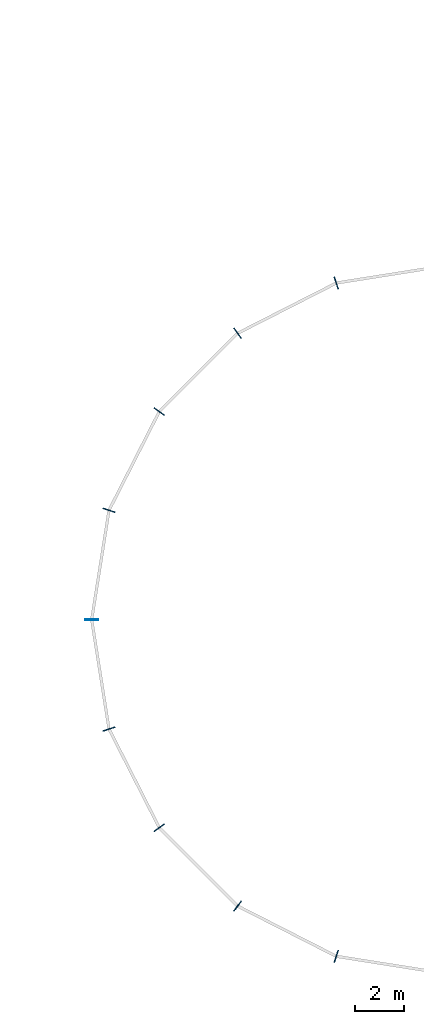
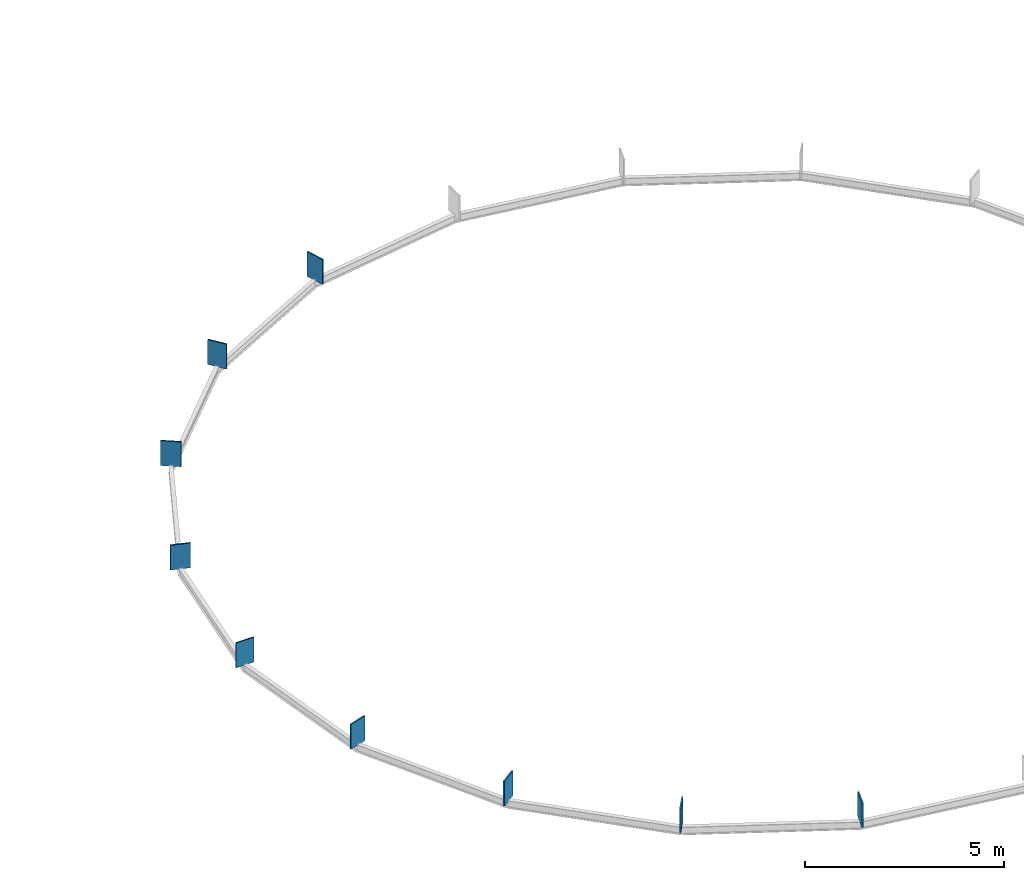
# One storey, part 16 of 36: 9 plates.
"""IFC4 building model written with IfcOpenShell, lengths in metres."""

from ifc_helpers import new_model, si_unit, direction, frame, origin, origin_2d, place, context, subcontext, project, spatial, rectangle, extrude, material, layer, layer_set, type_object, element, save


model = new_model("IFC4")

# Units and contexts
model_context = context("Model", 3, precision=1e-05, world=origin(), true_north=direction((0.0, 1.0)))
body_context = subcontext(model_context, "Body", "Model", "MODEL_VIEW")
ifc_project = project(units=[si_unit("LENGTHUNIT", "METRE"), si_unit("AREAUNIT", "SQUARE_METRE"), si_unit("VOLUMEUNIT", "CUBIC_METRE"), si_unit("PLANEANGLEUNIT", "RADIAN"), si_unit("MASSUNIT", "GRAM", prefix="KILO")], contexts=[model_context])

# Site, building, storey
site_placement = place(None, origin())
site = spatial("IfcSite", under=ifc_project, at=site_placement, CompositionType="ELEMENT")
building_placement = place(site_placement, origin())
building = spatial("IfcBuilding", under=site, at=building_placement, Name="Sefraquen Railside Congress Hotel", CompositionType="ELEMENT")
storey_placement = place(building_placement, frame((0.0, 0.0, 28.199951171875)))
storey = spatial("IfcBuildingStorey", under=building, at=storey_placement, Name="L06", CompositionType="ELEMENT", Elevation=28.199951171875)

# Plates
ifc_material = material(Name="Steel S355J2", Category="steel")
ifc_layer = layer(ifc_material, 0.0400390625)
ifc_layer_set = layer_set([ifc_layer], Name="Steel S355J2")
plate_type = type_object("IfcPlateType", Name="TP-GUS-02", PredefinedType="SHEET", material=ifc_layer_set)
for number, where, z_axis, x_axis, name in (
    (1, (59.750244140625, 40.6953125, -1.60009765625), (0.0, 0.0, 1.0), (-0.309016994375, 0.951056516295, 0.0), "Dome lower ring shell stool plate 07"),
    (2, (55.73583984375, 38.64990234375, -1.60009765625), (0.0, 0.0, 1.0), (-0.587785252292, 0.809016994375, 0.0), "Dome lower ring shell stool plate 08"),
    (3, (52.55029296875, 35.464111328125, -1.60009765625), (0.0, 0.0, 1.0), (-0.809016994375, 0.587785252292, 0.0), "Dome lower ring shell stool plate 09"),
    (4, (50.5048828125, 31.44970703125, -1.60009765625), (0.0, 0.0, 1.0), (-0.951056516295, 0.309016994375, 0.0), "Dome lower ring shell stool plate 10"),
    (5, (49.800048828125, 27.0, -1.60009765625), (0.0, 0.0, 1.0), (-1.0, 0.0, 0.0), "Dome lower ring shell stool plate 11"),
    (6, (50.5048828125, 22.55029296875, -1.60009765625), (0.0, 0.0, 1.0), (-0.951056516295, -0.309016994375, 0.0), "Dome lower ring shell stool plate 12"),
    (7, (52.55029296875, 18.535888671875, -1.60009765625), (0.0, 0.0, 1.0), (-0.809016994375, -0.587785252292, 0.0), "Dome lower ring shell stool plate 13"),
    (8, (55.73583984375, 15.35009765625, -1.60009765625), (0.0, 0.0, 1.0), (-0.587785252292, -0.809016994375, 0.0), "Dome lower ring shell stool plate 14"),
    (9, (59.750244140625, 13.3046875, -1.60009765625), (0.0, 0.0, 1.0), (-0.309016994375, -0.951056516295, 0.0), "Dome lower ring shell stool plate 15"),
):
    element("IfcPlate", number, at=place(storey_placement, frame(where, z_axis=z_axis, x_axis=x_axis)), inside=storey, type_object=plate_type, Name=name, PredefinedType="SHEET", context=body_context, shape_type="SweptSolid", body=[
        extrude(rectangle(XDim=0.52001953125, YDim=0.0400390625, at=origin_2d()), origin(), (0.0, 0.0, 1.0), 0.760009765625),
    ])

save(model, "model.ifc")
